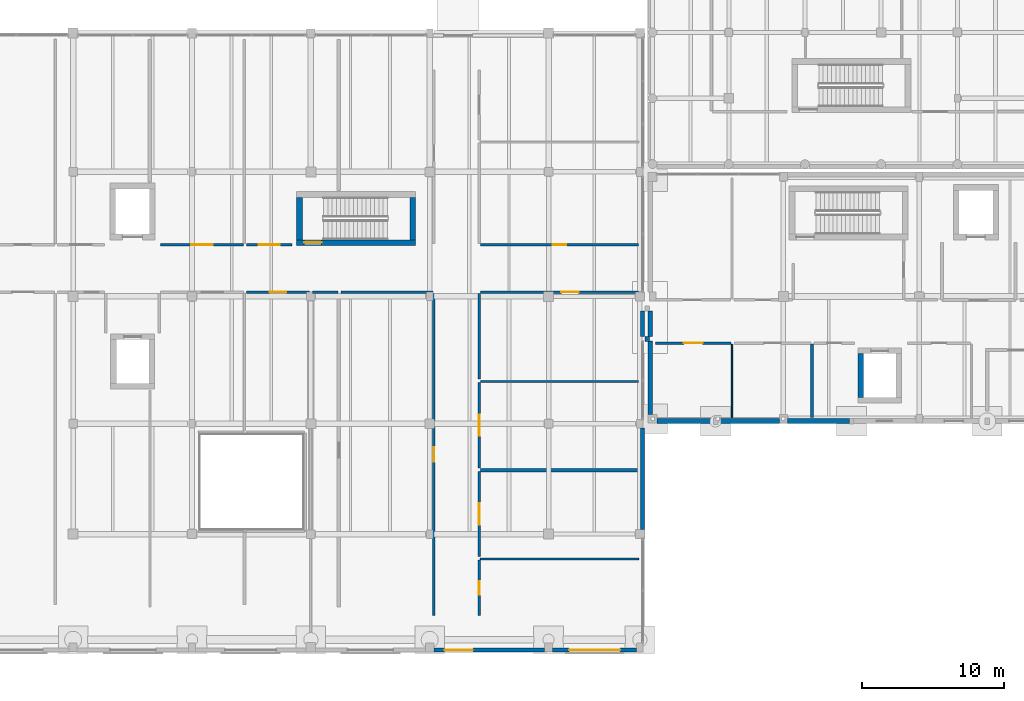
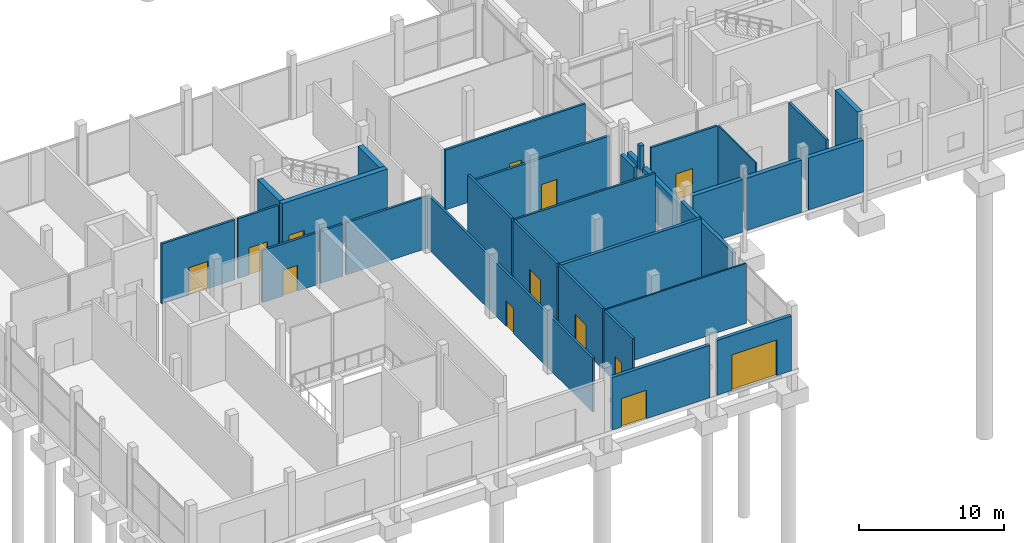
# One storey, part 57 of 88: 32 walls, 13 doors, 13 openings.
"""IFC4 building model written with IfcOpenShell, lengths in metres."""

import ifcopenshell
import ifcopenshell.guid

model = None  # the IFC model being written
_history = None  # IfcOwnerHistory: only IFC2X3 demands one
_inside = {}  # id of a spatial element -> (the spatial element, [elements in it])
_under = {}  # id of a project, library or spatial element -> (it, [spatial elements below it])
_declared = {}  # id of a project -> (the project, [libraries it declares])
_typed = {}  # id of a type object -> (the type object, [elements of that type])
_made_of = {}  # id of a material, layer set ... -> (it, [elements and type objects made of it])


def new_model(schema):
    """Start an empty IFC model of exactly this schema.

    Asked for "IFC4X3", IfcOpenShell would pick the latest addendum, in which some entities
    have other attributes; the version numbers below select the first issue.
    IFC2X3 requires an IfcOwnerHistory on every rooted entity: one is made here for all.
    """
    global model, _history
    if schema == "IFC4X3":
        model = ifcopenshell.file(schema_version=(4, 3, 0, 0))
    else:
        model = ifcopenshell.file(schema=schema)
    _inside.clear()
    _under.clear()
    _declared.clear()
    _typed.clear()
    _made_of.clear()
    _history = None
    if model.schema == "IFC2X3":
        org = make("IfcOrganization", Name="unknown")
        user = make(
            "IfcPersonAndOrganization",
            ThePerson=make("IfcPerson", FamilyName="unknown"),
            TheOrganization=org,
        )
        app = make(
            "IfcApplication",
            ApplicationDeveloper=org,
            Version="unknown",
            ApplicationFullName="unknown",
            ApplicationIdentifier="unknown",
        )
        _history = make(
            "IfcOwnerHistory",
            OwningUser=user,
            OwningApplication=app,
            ChangeAction="ADDED",
            CreationDate=0,
        )
    return model


def make(cls, **values):
    """One entity of the class cls with the attributes given. An attribute that is None is left unset."""
    return model.create_entity(
        cls, **{name: value for name, value in values.items() if value is not None}
    )


def rooted(cls, **values):
    """An entity with a GlobalId (a new one), such as an element, a storey or a relation."""
    return make(cls, GlobalId=ifcopenshell.guid.new(), OwnerHistory=_history, **values)


def si_unit(unit_type, name, prefix=None):
    """IfcSIUnit, for example si_unit("LENGTHUNIT", "METRE", prefix="MILLI")."""
    return make("IfcSIUnit", UnitType=unit_type, Prefix=prefix, Name=name)


def assignment(units):
    """IfcUnitAssignment: the units of a project."""
    return None if units is None else make("IfcUnitAssignment", Units=units)


def point(xyz):
    """IfcCartesianPoint."""
    return None if xyz is None else make("IfcCartesianPoint", Coordinates=xyz)


def direction(xyz):
    """IfcDirection."""
    return None if xyz is None else make("IfcDirection", DirectionRatios=xyz)


def frame(location, z_axis=None, x_axis=None):
    """IfcAxis2Placement3D, a coordinate frame: its origin and axes. An axis left out is left unset."""
    return make(
        "IfcAxis2Placement3D",
        Location=point(location),
        Axis=direction(z_axis),
        RefDirection=direction(x_axis),
    )


def frame_2d(location, x_axis=None):
    """IfcAxis2Placement2D, a coordinate frame in the plane: its origin and x axis."""
    return make(
        "IfcAxis2Placement2D", Location=point(location), RefDirection=direction(x_axis)
    )


def origin():
    """The frame at (0, 0, 0) with its axes left unset."""
    return frame((0.0, 0.0, 0.0))


def place(relative_to, where):
    """IfcLocalPlacement: puts the frame where relative to a parent placement (None: the world)."""
    return make(
        "IfcLocalPlacement", PlacementRelTo=relative_to, RelativePlacement=where
    )


def context(
    kind, dimensions, precision=None, world=None, true_north=None, identifier=None
):
    """IfcGeometricRepresentationContext, for example the 3D "Model" context."""
    return make(
        "IfcGeometricRepresentationContext",
        ContextIdentifier=identifier,
        ContextType=kind,
        CoordinateSpaceDimension=dimensions,
        Precision=precision,
        WorldCoordinateSystem=world,
        TrueNorth=true_north,
    )


def subcontext(parent, identifier, kind, view, scale=None):
    """IfcGeometricRepresentationSubContext, for example "Body" below "Model"."""
    return make(
        "IfcGeometricRepresentationSubContext",
        ContextIdentifier=identifier,
        ContextType=kind,
        ParentContext=parent,
        TargetScale=scale,
        TargetView=view,
    )


def project(units=None, contexts=None):
    """IfcProject with its units and contexts."""
    return rooted(
        "IfcProject",
        Name="project",
        RepresentationContexts=contexts,
        UnitsInContext=assignment(units),
    )


def spatial(cls, under=None, at=None, **own):
    """A site, building, storey or space (cls), placed at a placement, below another one or the project."""
    s = rooted(cls, ObjectPlacement=at, **own)
    if under is not None:
        _under.setdefault(under.id(), (under, []))[1].append(s)
    return s


def profile(cls, at=None, kind="AREA", **sizes):
    """A parametric profile (cls). Its sizes go by their IFC names, for example OverallWidth=200.0."""
    return make(cls, ProfileType=kind, Position=at, **sizes)


def rectangle(**sizes):
    """IfcRectangleProfileDef."""
    return profile("IfcRectangleProfileDef", **sizes)


def extrude(swept, where, along, depth):
    """IfcExtrudedAreaSolid: the profile swept, set in the frame where, extruded along a direction by depth."""
    return make(
        "IfcExtrudedAreaSolid",
        SweptArea=swept,
        Position=where,
        ExtrudedDirection=direction(along),
        Depth=depth,
    )


def shape(context_of_items, identifier, shape_type, items):
    """IfcShapeRepresentation: the items that make up one representation, for example the "Body"."""
    return make(
        "IfcShapeRepresentation",
        ContextOfItems=context_of_items,
        RepresentationIdentifier=identifier,
        RepresentationType=shape_type,
        Items=items,
    )


def material(Name=None, Category=None):
    """IfcMaterial."""
    return make("IfcMaterial", Name=Name, Category=Category)


def layer(
    of_material, thickness, ventilated=None, Name=None, Category=None, Priority=None
):
    """IfcMaterialLayer: one layer of a wall or slab, of a material (None: an air gap)."""
    return make(
        "IfcMaterialLayer",
        Material=of_material,
        LayerThickness=thickness,
        IsVentilated=ventilated,
        Name=Name,
        Category=Category,
        Priority=Priority,
    )


def layer_set(layers, Name=None):
    """IfcMaterialLayerSet."""
    return make("IfcMaterialLayerSet", MaterialLayers=layers, LayerSetName=Name)


def made_of(thing, what):
    """Note that an element or type object is made of a material, layer set ...; save() writes the relation."""
    if what is not None:
        _made_of.setdefault(what.id(), (what, []))[1].append(thing)
    return thing


def type_object(cls, material=None, **own):
    """A type object (cls), such as IfcWallType, which elements share."""
    return made_of(rooted(cls, **own), material)


def element(
    cls,
    number,
    at=None,
    inside=None,
    cuts=None,
    type_object=None,
    material=None,
    context=None,
    identifier="Body",
    shape_type=None,
    held_by="IfcProductDefinitionShape",
    body=None,
    shapes=None,
    **own,
):
    """One element of the class cls, such as IfcWall. Its Tag is "e" and its number.

    at: its placement. inside: the storey or other place that contains it. cuts: it is an
    opening in that element (IfcRelVoidsElement). A single representation is given by context,
    identifier, shape_type and body (its items); several are given by shapes. held_by: the class
    of the entity that holds the representations. save() writes the other relations.
    """
    e = rooted(cls, Tag="e%d" % number, ObjectPlacement=at, **own)
    if body is not None:
        shapes = [shape(context, identifier, shape_type, body)]
    if shapes is not None:
        e.Representation = make(held_by, Representations=shapes)
    if inside is not None:
        _inside.setdefault(inside.id(), (inside, []))[1].append(e)
    if cuts is not None:
        rooted(
            "IfcRelVoidsElement", RelatingBuildingElement=cuts, RelatedOpeningElement=e
        )
    if type_object is not None:
        _typed.setdefault(type_object.id(), (type_object, []))[1].append(e)
    return made_of(e, material)


def fill(opening, filler):
    """IfcRelFillsElement: the door or window that sits in an opening."""
    return rooted(
        "IfcRelFillsElement",
        RelatingOpeningElement=opening,
        RelatedBuildingElement=filler,
    )


def aggregate(whole, parts):
    """IfcRelAggregates: a whole, such as a stair, and the parts it consists of."""
    return rooted("IfcRelAggregates", RelatingObject=whole, RelatedObjects=parts)


def save(model, path):
    """Write the relations noted so far, then the file.

    IfcRelAggregates (storeys below a building ...), IfcRelContainedInSpatialStructure (elements
    in a storey), IfcRelDefinesByType, IfcRelAssociatesMaterial and IfcRelDeclares: one each for
    every whole, place, type object, material and project.
    """
    for whole, parts in _under.values():
        aggregate(whole, parts)
    for where, things in _inside.values():
        rooted(
            "IfcRelContainedInSpatialStructure",
            RelatedElements=things,
            RelatingStructure=where,
        )
    for kind, things in _typed.values():
        rooted("IfcRelDefinesByType", RelatedObjects=things, RelatingType=kind)
    for what, things in _made_of.values():
        rooted("IfcRelAssociatesMaterial", RelatedObjects=things, RelatingMaterial=what)
    for by, libraries in _declared.values():
        rooted("IfcRelDeclares", RelatingContext=by, RelatedDefinitions=libraries)
    model.write(path)


model = new_model("IFC4")

# Units and contexts
model_context = context("Model", 3, precision=1e-05, world=origin(), true_north=direction((0.0, 1.0)))
body_context = subcontext(model_context, "Body", "Model", "MODEL_VIEW")
ifc_project = project(units=[si_unit("LENGTHUNIT", "METRE"), si_unit("AREAUNIT", "SQUARE_METRE"), si_unit("VOLUMEUNIT", "CUBIC_METRE"), si_unit("PLANEANGLEUNIT", "RADIAN"), si_unit("MASSUNIT", "GRAM", prefix="KILO")], contexts=[model_context])

# Site, building, storey
site_placement = place(None, origin())
site = spatial("IfcSite", under=ifc_project, at=site_placement, CompositionType="ELEMENT")
building_placement = place(site_placement, origin())
building = spatial("IfcBuilding", under=site, at=building_placement, Name="Birchvale Park Specialist Clinic", CompositionType="ELEMENT")
storey_placement = place(building_placement, origin())
storey = spatial("IfcBuildingStorey", under=building, at=storey_placement, Name="L00", CompositionType="ELEMENT", Elevation=0.0)

# Wall, opening, door
ifc_material_1 = material(Name="Concrete C40/50", Category="concrete")
ifc_layer_1 = layer(ifc_material_1, 0.39990234375)
ifc_layer_set_1 = layer_set([ifc_layer_1], Name="Concrete C40/50")
wall_type_1 = type_object("IfcWallType", Name="WL-CW-120", PredefinedType="SHEAR", material=ifc_layer_set_1)
wall_1_placement = place(storey_placement, frame((27.0, 29.60009765625, 0.0), z_axis=(0.0, 0.0, 1.0), x_axis=(1.0, 0.0, 0.0)))
wall_1 = element("IfcWall", 1, at=wall_1_placement, inside=storey, type_object=wall_type_1, Name="L00 stair ST2 EI 120 enclosure wall (south)", PredefinedType="SHEAR", context=body_context, shape_type="SweptSolid", body=[
    extrude(rectangle(XDim=8.39990234375, YDim=0.39990234375, at=frame_2d((4.199951171875, 0.0))), origin(), (0.0, 0.0, 1.0), 5.050048828125),
])
opening_1_placement = place(wall_1_placement, frame((0.52001953125, 0.0, 0.0)))
opening_1 = element("IfcOpeningElement", 2, at=opening_1_placement, cuts=wall_1, Name="Opening ID-FD60", PredefinedType="OPENING", context=body_context, shape_type="SweptSolid", body=[
    extrude(rectangle(XDim=1.25, YDim=2.199951171875, at=frame_2d((0.625, 1.10009765625))), frame((0.0, 0.2099609375, 0.0), z_axis=(0.0, -1.0, 0.0), x_axis=(1.0, 0.0, 0.0)), (0.0, 0.0, 1.0), 0.419921875),
])
ifc_material_2 = material(Name="Solid-core birch veneer and anodised aluminium", Category="aluminium")
door_type_1 = type_object("IfcDoorType", Name="DR-ID-FD60", OperationType="NOTDEFINED", PredefinedType="DOOR", material=ifc_material_2)
door_1_placement = place(opening_1_placement, origin())
door_1 = element("IfcDoor", 3, at=door_1_placement, inside=storey, type_object=door_type_1, Name="L00 stair ST2 fire door", OperationType="SINGLE_SWING_RIGHT", OverallHeight=2.199951171875, OverallWidth=1.25, PredefinedType="DOOR", context=body_context, shape_type="SweptSolid", body=[
    extrude(rectangle(XDim=1.25, YDim=2.199951171875, at=frame_2d((0.625, 1.10009765625))), frame((0.0, 0.02490234375, 0.0), z_axis=(0.0, -1.0, 0.0), x_axis=(1.0, 0.0, 0.0)), (0.0, 0.0, 1.0), 0.050048828125),
])
fill(opening_1, door_1)

# Walls
for number, where, z_axis, x_axis, name in (
    (4, (27.199951171875, 29.800048828125, 0.0), (0.0, 0.0, 1.0), (0.0, 1.0, 0.0), "L00 stair ST2 EI 120 enclosure wall (west)"),
    (5, (35.199951171875, 32.800048828125, 0.0), (0.0, 0.0, 1.0), (0.0, -1.0, 0.0), "L00 stair ST2 EI 120 enclosure wall (east)"),
):
    element("IfcWall", number, at=place(storey_placement, frame(where, z_axis=z_axis, x_axis=x_axis)), inside=storey, type_object=wall_type_1, Name=name, PredefinedType="SHEAR", context=body_context, shape_type="SweptSolid", body=[
        extrude(rectangle(XDim=3.0, YDim=0.39990234375, at=frame_2d((1.5, 0.0))), origin(), (0.0, 0.0, 1.0), 5.050048828125),
    ])
wall_2_placement = place(storey_placement, frame((66.85009765625, 18.64990234375, 0.0), z_axis=(0.0, 0.0, 1.0), x_axis=(0.0, 1.0, 0.0)))
element("IfcWall", 6, at=wall_2_placement, inside=storey, type_object=wall_type_1, Name="L00 lift LP1 shaft wall (west)", PredefinedType="SHEAR", context=body_context, shape_type="SweptSolid", body=[
    extrude(rectangle(XDim=3.10009765625, YDim=0.39990234375, at=frame_2d((1.550048828125, 0.0))), origin(), (0.0, 0.0, 1.0), 5.39990234375),
])
ifc_material_3 = material(Name="Lime-white mineral-rendered insulated masonry", Category="masonry")
ifc_layer_2 = layer(ifc_material_3, 0.340087890625)
ifc_layer_set_2 = layer_set([ifc_layer_2], Name="Lime-white mineral-rendered insulated masonry")
wall_type_2 = type_object("IfcWallType", Name="WL-EW-01", PredefinedType="STANDARD", material=ifc_layer_set_2)
wall_3_placement = place(storey_placement, frame((52.4599609375, 16.989990234375, 0.0), z_axis=(0.0, 0.0, 1.0), x_axis=(1.0, 0.0, 0.0)))
element("IfcWall", 7, at=wall_3_placement, inside=storey, type_object=wall_type_2, Name="V4 L00 exterior facade wall 63", PredefinedType="STANDARD", context=body_context, shape_type="SweptSolid", body=[
    extrude(rectangle(XDim=3.985107421875, YDim=0.340087890625, at=frame_2d((1.99267578125, 0.0))), origin(), (0.0, 0.0, 1.0), 4.4150390625),
])
wall_4_placement = place(storey_placement, frame((56.7548828125, 16.989990234375, 0.0), z_axis=(0.0, 0.0, 1.0), x_axis=(1.0, 0.0, 0.0)))
element("IfcWall", 8, at=wall_4_placement, inside=storey, type_object=wall_type_2, Name="V4 L00 exterior facade wall 64", PredefinedType="STANDARD", context=body_context, shape_type="SweptSolid", body=[
    extrude(rectangle(XDim=4.360107421875, YDim=0.340087890625, at=frame_2d((2.18017578125, 0.0))), origin(), (0.0, 0.0, 1.0), 4.4150390625),
])
wall_5_placement = place(storey_placement, frame((61.68505859375, 16.989990234375, 0.0), z_axis=(0.0, 0.0, 1.0), x_axis=(1.0, 0.0, 0.0)))
element("IfcWall", 9, at=wall_5_placement, inside=storey, type_object=wall_type_2, Name="V4 L00 exterior facade wall 65", PredefinedType="STANDARD", context=body_context, shape_type="SweptSolid", body=[
    extrude(rectangle(XDim=4.3798828125, YDim=0.340087890625, at=frame_2d((2.18994140625, 0.0))), origin(), (0.0, 0.0, 1.0), 4.385009765625),
])
wall_6_placement = place(storey_placement, frame((51.989990234375, 24.780029296875, 0.0), z_axis=(0.0, 0.0, 1.0), x_axis=(0.0, -1.0, 0.0)))
element("IfcWall", 10, at=wall_6_placement, inside=storey, type_object=wall_type_2, Name="V4 L00 exterior facade wall 87", PredefinedType="STANDARD", context=body_context, shape_type="SweptSolid", body=[
    extrude(rectangle(XDim=1.81005859375, YDim=0.340087890625, at=frame_2d((0.905029296875, 0.0))), origin(), (0.0, 0.0, 1.0), 3.508056640625),
])
wall_7_placement = place(storey_placement, frame((51.989990234375, 22.6298828125, 0.0), z_axis=(0.0, 0.0, 1.0), x_axis=(0.0, -1.0, 0.0)))
element("IfcWall", 11, at=wall_7_placement, inside=storey, type_object=wall_type_2, Name="V4 L00 exterior facade wall 88", PredefinedType="STANDARD", context=body_context, shape_type="SweptSolid", body=[
    extrude(rectangle(XDim=5.169921875, YDim=0.340087890625, at=frame_2d((2.5849609375, 0.0))), origin(), (0.0, 0.0, 1.0), 3.508056640625),
])

# Wall, opening, door
ifc_layer_3 = layer(ifc_material_3, 0.27001953125)
ifc_layer_set_3 = layer_set([ifc_layer_3], Name="Lime-white mineral-rendered insulated masonry")
wall_type_3 = type_object("IfcWallType", Name="WL-EW-04", PredefinedType="STANDARD", material=ifc_layer_set_3)
wall_8_placement = place(storey_placement, frame((36.7099609375, 0.804931640625, 0.0), z_axis=(0.0, 0.0, 1.0), x_axis=(1.0, 0.0, 0.0)))
wall_8 = element("IfcWall", 12, at=wall_8_placement, inside=storey, type_object=wall_type_3, Name="V2 L00 exterior facade wall 38", PredefinedType="STANDARD", context=body_context, shape_type="SweptSolid", body=[
    extrude(rectangle(XDim=7.804931640625, YDim=0.27001953125, at=frame_2d((3.90234375, 0.0))), origin(), (0.0, 0.0, 1.0), 4.419921875),
])
opening_2_placement = place(wall_8_placement, frame((0.7451171875, 0.0, 0.0)))
opening_2 = element("IfcOpeningElement", 13, at=opening_2_placement, cuts=wall_8, Name="Opening ED-02", PredefinedType="OPENING", context=body_context, shape_type="SweptSolid", body=[
    extrude(rectangle(XDim=2.0, YDim=2.39990234375, at=frame_2d((1.0, 1.199951171875))), frame((0.0, 0.14501953125, 0.0), z_axis=(0.0, -1.0, 0.0), x_axis=(1.0, 0.0, 0.0)), (0.0, 0.0, 1.0), 0.2900390625),
])
ifc_material_4 = material(Name="Powder-coated aluminium and laminated safety glass", Category="aluminium")
door_type_2 = type_object("IfcDoorType", Name="DR-ED-02", OperationType="DOUBLE_DOOR_SINGLE_SWING", PredefinedType="DOOR", material=ifc_material_4)
door_2_placement = place(opening_2_placement, frame((2.0, 0.0, 0.0), z_axis=(0.0, 0.0, 1.0), x_axis=(-1.0, 0.0, 0.0)))
door_2 = element("IfcDoor", 14, at=door_2_placement, inside=storey, type_object=door_type_2, Name="L00 V2 final exit double door 9", OperationType="DOUBLE_DOOR_SINGLE_SWING", OverallHeight=2.39990234375, OverallWidth=2.0, PredefinedType="DOOR", context=body_context, shape_type="SweptSolid", body=[
    extrude(rectangle(XDim=2.0, YDim=2.39990234375, at=frame_2d((1.0, 1.199951171875))), frame((0.0, 0.02490234375, 0.0), z_axis=(0.0, -1.0, 0.0), x_axis=(1.0, 0.0, 0.0)), (0.0, 0.0, 1.0), 0.050048828125),
])
fill(opening_2, door_2)

wall_9_placement = place(storey_placement, frame((45.0849609375, 0.804931640625, 0.0), z_axis=(0.0, 0.0, 1.0), x_axis=(1.0, 0.0, 0.0)))
wall_9 = element("IfcWall", 15, at=wall_9_placement, inside=storey, type_object=wall_type_3, Name="V2 L00 exterior facade wall 39", PredefinedType="STANDARD", context=body_context, shape_type="SweptSolid", body=[
    extrude(rectangle(XDim=5.93505859375, YDim=0.27001953125, at=frame_2d((2.967529296875, 0.0))), origin(), (0.0, 0.0, 1.0), 4.6201171875),
])
opening_3_placement = place(wall_9_placement, frame((1.16748046875, 0.0, 0.0)))
opening_3 = element("IfcOpeningElement", 16, at=opening_3_placement, cuts=wall_9, Name="Opening SG-01", PredefinedType="OPENING", context=body_context, shape_type="SweptSolid", body=[
    extrude(rectangle(XDim=3.60009765625, YDim=3.0, at=frame_2d((1.800048828125, 1.5))), frame((0.0, 0.14501953125, 0.0), z_axis=(0.0, -1.0, 0.0), x_axis=(1.0, 0.0, 0.0)), (0.0, 0.0, 1.0), 0.2900390625),
])
door_type_3 = type_object("IfcDoorType", Name="DR-SG-01", OperationType="DOUBLE_DOOR_SINGLE_SWING", PredefinedType="GATE", material=ifc_material_4)
door_3_placement = place(opening_3_placement, frame((3.60009765625, 0.0, 0.0), z_axis=(0.0, 0.0, 1.0), x_axis=(-1.0, 0.0, 0.0)))
door_3 = element("IfcDoor", 17, at=door_3_placement, inside=storey, type_object=door_type_3, Name="V2 L00 ambulance & sterile service gate 5", OperationType="DOUBLE_DOOR_SINGLE_SWING", OverallHeight=3.0, OverallWidth=3.60009765625, PredefinedType="GATE", context=body_context, shape_type="SweptSolid", body=[
    extrude(rectangle(XDim=3.60009765625, YDim=3.0, at=frame_2d((1.800048828125, 1.5))), frame((0.0, 0.02490234375, 0.0), z_axis=(0.0, -1.0, 0.0), x_axis=(1.0, 0.0, 0.0)), (0.0, 0.0, 1.0), 0.050048828125),
])
fill(opening_3, door_3)

# Walls
wall_10_placement = place(storey_placement, frame((51.445068359375, 9.31005859375, 0.0), z_axis=(0.0, 0.0, 1.0), x_axis=(0.0, 1.0, 0.0)))
element("IfcWall", 18, at=wall_10_placement, inside=storey, type_object=wall_type_3, Name="V2 L00 exterior facade wall 40", PredefinedType="STANDARD", context=body_context, shape_type="SweptSolid", body=[
    extrude(rectangle(XDim=7.179931640625, YDim=0.27001953125, at=frame_2d((3.58984375, 0.0))), origin(), (0.0, 0.0, 1.0), 4.570068359375),
])
wall_11_placement = place(storey_placement, frame((51.445068359375, 22.969970703125, 0.0), z_axis=(0.0, 0.0, 1.0), x_axis=(0.0, 1.0, 0.0)))
element("IfcWall", 19, at=wall_11_placement, inside=storey, type_object=wall_type_3, Name="V2 L00 exterior facade wall 41", PredefinedType="STANDARD", context=body_context, shape_type="SweptSolid", body=[
    extrude(rectangle(XDim=1.81005859375, YDim=0.27001953125, at=frame_2d((0.905029296875, 0.0))), origin(), (0.0, 0.0, 1.0), 3.508056640625),
])
ifc_material_5 = material(Name="Acoustic gypsum board on metal framing")
ifc_layer_4 = layer(ifc_material_5, 0.1650390625)
ifc_layer_set_4 = layer_set([ifc_layer_4], Name="Acoustic gypsum board on metal framing")
wall_type_4 = type_object("IfcWallType", Name="WL-IW-01", PredefinedType="PARTITIONING", material=ifc_layer_set_4)
wall_12_placement = place(storey_placement, frame((39.97998046875, 19.78759765625, 0.0), z_axis=(0.0, 0.0, 1.0), x_axis=(1.0, 0.0, 0.0)))
element("IfcWall", 20, at=wall_12_placement, inside=storey, type_object=wall_type_4, Name="V2 L00 clinical partition 102", PredefinedType="PARTITIONING", context=body_context, shape_type="SweptSolid", body=[
    extrude(rectangle(XDim=11.179931640625, YDim=0.1650390625, at=frame_2d((5.58984375, 0.0))), origin(), (0.0, 0.0, 1.0), 5.050048828125),
])
ifc_layer_5 = layer(ifc_material_5, 0.125)
ifc_layer_set_5 = layer_set([ifc_layer_5], Name="Acoustic gypsum board on metal framing")
wall_type_5 = type_object("IfcWallType", Name="WL-IW-04", PredefinedType="PARTITIONING", material=ifc_layer_set_5)
wall_13_placement = place(storey_placement, frame((39.97998046875, 7.242431640625, 0.0), z_axis=(0.0, 0.0, 1.0), x_axis=(1.0, 0.0, 0.0)))
element("IfcWall", 21, at=wall_13_placement, inside=storey, type_object=wall_type_5, Name="V2 L00 clinical partition 97", PredefinedType="PARTITIONING", context=body_context, shape_type="SweptSolid", body=[
    extrude(rectangle(XDim=11.179931640625, YDim=0.125, at=frame_2d((5.58984375, 0.0))), origin(), (0.0, 0.0, 1.0), 5.050048828125),
])
ifc_layer_6 = layer(ifc_material_5, 0.10009765625)
ifc_layer_set_6 = layer_set([ifc_layer_6], Name="Acoustic gypsum board on metal framing")
wall_type_6 = type_object("IfcWallType", Name="WL-IW-06", PredefinedType="PARTITIONING", material=ifc_layer_set_6)
wall_14_placement = place(storey_placement, frame((57.763916015625, 22.419921875, 0.0), z_axis=(0.0, 0.0, 1.0), x_axis=(0.0, -1.0, 0.0)))
element("IfcWall", 22, at=wall_14_placement, inside=storey, type_object=wall_type_6, Name="V4 L00 clinical partition 175", PredefinedType="PARTITIONING", context=body_context, shape_type="SweptSolid", body=[
    extrude(rectangle(XDim=5.179931640625, YDim=0.10009765625, at=frame_2d((2.58984375, 0.0))), origin(), (0.0, 0.0, 1.0), 5.1201171875),
])
ifc_layer_7 = layer(ifc_material_5, 0.195068359375)
ifc_layer_set_7 = layer_set([ifc_layer_7], Name="Acoustic gypsum board on metal framing")
wall_type_7 = type_object("IfcWallType", Name="WL-IW-07", PredefinedType="PARTITIONING", material=ifc_layer_set_7)
wall_15_placement = place(storey_placement, frame((63.407958984375, 22.419921875, 0.0), z_axis=(0.0, 0.0, 1.0), x_axis=(0.0, -1.0, 0.0)))
element("IfcWall", 23, at=wall_15_placement, inside=storey, type_object=wall_type_7, Name="V4 L00 clinical partition 177", PredefinedType="PARTITIONING", context=body_context, shape_type="SweptSolid", body=[
    extrude(rectangle(XDim=5.179931640625, YDim=0.195068359375, at=frame_2d((2.58984375, 0.0))), origin(), (0.0, 0.0, 1.0), 5.1201171875),
])
ifc_layer_8 = layer(ifc_material_5, 0.239990234375)
ifc_layer_set_8 = layer_set([ifc_layer_8], Name="Acoustic gypsum board on metal framing")
wall_type_8 = type_object("IfcWallType", Name="WL-IW-08", PredefinedType="PARTITIONING", material=ifc_layer_set_8)
wall_16_placement = place(storey_placement, frame((39.97998046875, 13.514892578125, 0.0), z_axis=(0.0, 0.0, 1.0), x_axis=(1.0, 0.0, 0.0)))
element("IfcWall", 24, at=wall_16_placement, inside=storey, type_object=wall_type_8, Name="V2 L00 clinical partition 100", PredefinedType="PARTITIONING", context=body_context, shape_type="SweptSolid", body=[
    extrude(rectangle(XDim=11.179931640625, YDim=0.239990234375, at=frame_2d((5.58984375, 0.0))), origin(), (0.0, 0.0, 1.0), 5.050048828125),
])

# Wall, opening, door
ifc_layer_9 = layer(ifc_material_5, 0.179931640625)
ifc_layer_set_9 = layer_set([ifc_layer_9], Name="Acoustic gypsum board on metal framing")
wall_type_9 = type_object("IfcWallType", Name="WL-IW-60", PredefinedType="PARTITIONING", material=ifc_layer_set_9)
wall_17_placement = place(storey_placement, frame((23.464111328125, 26.10009765625, 0.0), z_axis=(0.0, 0.0, 1.0), x_axis=(1.0, 0.0, 0.0)))
wall_17 = element("IfcWall", 25, at=wall_17_placement, inside=storey, type_object=wall_type_9, Name="V2 L00 clinical partition 91", PredefinedType="PARTITIONING", context=body_context, shape_type="SweptSolid", body=[
    extrude(rectangle(XDim=4.435791015625, YDim=0.179931640625, at=frame_2d((2.2177734375, 0.0))), origin(), (0.0, 0.0, 1.0), 4.385009765625),
])
opening_4_placement = place(wall_17_placement, frame((1.6279296875, 0.0, 0.0)))
opening_4 = element("IfcOpeningElement", 26, at=opening_4_placement, cuts=wall_17, Name="Opening ID-ST60", PredefinedType="OPENING", context=body_context, shape_type="SweptSolid", body=[
    extrude(rectangle(XDim=1.179931640625, YDim=2.179931640625, at=frame_2d((0.58984375, 1.08984375))), frame((0.0, 0.10009765625, 0.0), z_axis=(0.0, -1.0, 0.0), x_axis=(1.0, 0.0, 0.0)), (0.0, 0.0, 1.0), 0.199951171875),
])
door_type_4 = type_object("IfcDoorType", Name="DR-ID-ST60", OperationType="NOTDEFINED", PredefinedType="DOOR", material=ifc_material_2)
door_4_placement = place(opening_4_placement, origin())
door_4 = element("IfcDoor", 27, at=door_4_placement, inside=storey, type_object=door_type_4, Name="L00 Ultrasound Diagnostic Suite door", OperationType="SINGLE_SWING_LEFT", OverallHeight=2.179931640625, OverallWidth=1.179931640625, PredefinedType="DOOR", context=body_context, shape_type="SweptSolid", body=[
    extrude(rectangle(XDim=1.179931640625, YDim=2.179931640625, at=frame_2d((0.58984375, 1.08984375))), frame((0.0, 0.02490234375, 0.0), z_axis=(0.0, -1.0, 0.0), x_axis=(1.0, 0.0, 0.0)), (0.0, 0.0, 1.0), 0.050048828125),
])
fill(opening_4, door_4)

# Walls
wall_18_placement = place(storey_placement, frame((28.10009765625, 26.10009765625, 0.0), z_axis=(0.0, 0.0, 1.0), x_axis=(1.0, 0.0, 0.0)))
element("IfcWall", 28, at=wall_18_placement, inside=storey, type_object=wall_type_9, Name="V2 L00 clinical partition 93", PredefinedType="PARTITIONING", context=body_context, shape_type="SweptSolid", body=[
    extrude(rectangle(XDim=1.802001953125, YDim=0.179931640625, at=frame_2d((0.90087890625, 0.0))), origin(), (0.0, 0.0, 1.0), 4.385009765625),
])
wall_19_placement = place(storey_placement, frame((30.14208984375, 26.10009765625, 0.0), z_axis=(0.0, 0.0, 1.0), x_axis=(1.0, 0.0, 0.0)))
element("IfcWall", 29, at=wall_19_placement, inside=storey, type_object=wall_type_9, Name="V2 L00 clinical partition 95", PredefinedType="PARTITIONING", context=body_context, shape_type="SweptSolid", body=[
    extrude(rectangle(XDim=6.47802734375, YDim=0.179931640625, at=frame_2d((3.239013671875, 0.0))), origin(), (0.0, 0.0, 1.0), 4.385009765625),
])

# Wall, opening, door
wall_20_placement = place(storey_placement, frame((36.699951171875, 26.02001953125, 0.0), z_axis=(0.0, 0.0, 1.0), x_axis=(0.0, -1.0, 0.0)))
wall_20 = element("IfcWall", 30, at=wall_20_placement, inside=storey, type_object=wall_type_9, Name="V2 L00 clinical partition 96", PredefinedType="PARTITIONING", context=body_context, shape_type="SweptSolid", body=[
    extrude(rectangle(XDim=22.784912109375, YDim=0.179931640625, at=frame_2d((11.392578125, 0.0))), origin(), (0.0, 0.0, 1.0), 4.534912109375),
])
opening_5_placement = place(wall_20_placement, frame((10.87255859375, 0.0, 0.0)))
opening_5 = element("IfcOpeningElement", 31, at=opening_5_placement, cuts=wall_20, Name="Opening ID-02", PredefinedType="OPENING", context=body_context, shape_type="SweptSolid", body=[
    extrude(rectangle(XDim=1.0400390625, YDim=2.14990234375, at=frame_2d((0.52001953125, 1.074951171875))), frame((0.0, 0.10009765625, 0.0), z_axis=(0.0, -1.0, 0.0), x_axis=(1.0, 0.0, 0.0)), (0.0, 0.0, 1.0), 0.199951171875),
])
door_type_5 = type_object("IfcDoorType", Name="DR-ID-02", OperationType="NOTDEFINED", PredefinedType="DOOR", material=ifc_material_2)
door_5_placement = place(opening_5_placement, origin())
door_5 = element("IfcDoor", 32, at=door_5_placement, inside=storey, type_object=door_type_5, Name="L00 Mammography Screening Clinic door", OperationType="SINGLE_SWING_LEFT", OverallHeight=2.14990234375, OverallWidth=1.0400390625, PredefinedType="DOOR", context=body_context, shape_type="SweptSolid", body=[
    extrude(rectangle(XDim=1.0400390625, YDim=2.14990234375, at=frame_2d((0.52001953125, 1.074951171875))), frame((0.0, 0.02490234375, 0.0), z_axis=(0.0, -1.0, 0.0), x_axis=(1.0, 0.0, 0.0)), (0.0, 0.0, 1.0), 0.050048828125),
])
fill(opening_5, door_5)

wall_21_placement = place(storey_placement, frame((39.89990234375, 3.235107421875, 0.0), z_axis=(0.0, 0.0, 1.0), x_axis=(0.0, 1.0, 0.0)))
wall_21 = element("IfcWall", 33, at=wall_21_placement, inside=storey, type_object=wall_type_9, Name="V2 L00 clinical partition 98", PredefinedType="PARTITIONING", context=body_context, shape_type="SweptSolid", body=[
    extrude(rectangle(XDim=3.927490234375, YDim=0.179931640625, at=frame_2d((1.9638671875, 0.0))), origin(), (0.0, 0.0, 1.0), 5.050048828125),
])
opening_6_placement = place(wall_21_placement, frame((1.483642578125, 0.0, 0.0)))
opening_6 = element("IfcOpeningElement", 34, at=opening_6_placement, cuts=wall_21, Name="Opening ID-04", PredefinedType="OPENING", context=body_context, shape_type="SweptSolid", body=[
    extrude(rectangle(XDim=0.9599609375, YDim=2.10009765625, at=frame_2d((0.47998046875, 1.050048828125))), frame((0.0, 0.10009765625, 0.0), z_axis=(0.0, -1.0, 0.0), x_axis=(1.0, 0.0, 0.0)), (0.0, 0.0, 1.0), 0.199951171875),
])
door_type_6 = type_object("IfcDoorType", Name="DR-ID-04", OperationType="NOTDEFINED", PredefinedType="DOOR", material=ifc_material_2)
door_6_placement = place(opening_6_placement, origin())
door_6 = element("IfcDoor", 35, at=door_6_placement, inside=storey, type_object=door_type_6, Name="L00 Outpatient Waiting Lounge door", OperationType="SINGLE_SWING_RIGHT", OverallHeight=2.10009765625, OverallWidth=0.9599609375, PredefinedType="DOOR", context=body_context, shape_type="SweptSolid", body=[
    extrude(rectangle(XDim=0.9599609375, YDim=2.10009765625, at=frame_2d((0.47998046875, 1.050048828125))), frame((0.0, 0.02490234375, 0.0), z_axis=(0.0, -1.0, 0.0), x_axis=(1.0, 0.0, 0.0)), (0.0, 0.0, 1.0), 0.050048828125),
])
fill(opening_6, door_6)

wall_22_placement = place(storey_placement, frame((39.89990234375, 7.402587890625, 0.0), z_axis=(0.0, 0.0, 1.0), x_axis=(0.0, 1.0, 0.0)))
wall_22 = element("IfcWall", 36, at=wall_22_placement, inside=storey, type_object=wall_type_9, Name="V2 L00 clinical partition 99", PredefinedType="PARTITIONING", context=body_context, shape_type="SweptSolid", body=[
    extrude(rectangle(XDim=6.032470703125, YDim=0.179931640625, at=frame_2d((3.01611328125, 0.0))), origin(), (0.0, 0.0, 1.0), 5.050048828125),
])
opening_7_placement = place(wall_22_placement, frame((2.266357421875, 0.0, 0.0)))
opening_7 = element("IfcOpeningElement", 37, at=opening_7_placement, cuts=wall_22, Name="Opening ID-07", PredefinedType="OPENING", context=body_context, shape_type="SweptSolid", body=[
    extrude(rectangle(XDim=1.5, YDim=2.300048828125, at=frame_2d((0.75, 1.14990234375))), frame((0.0, 0.10009765625, 0.0), z_axis=(0.0, -1.0, 0.0), x_axis=(1.0, 0.0, 0.0)), (0.0, 0.0, 1.0), 0.199951171875),
])
door_type_7 = type_object("IfcDoorType", Name="DR-ID-07", OperationType="DOUBLE_DOOR_SINGLE_SWING", PredefinedType="DOOR", material=ifc_material_2)
door_7_placement = place(opening_7_placement, origin())
door_7 = element("IfcDoor", 38, at=door_7_placement, inside=storey, type_object=door_type_7, Name="L00 MRI Imaging Suite door", OperationType="DOUBLE_DOOR_SINGLE_SWING", OverallHeight=2.300048828125, OverallWidth=1.5, PredefinedType="DOOR", context=body_context, shape_type="SweptSolid", body=[
    extrude(rectangle(XDim=1.5, YDim=2.300048828125, at=frame_2d((0.75, 1.14990234375))), frame((0.0, 0.02490234375, 0.0), z_axis=(0.0, -1.0, 0.0), x_axis=(1.0, 0.0, 0.0)), (0.0, 0.0, 1.0), 0.050048828125),
])
fill(opening_7, door_7)

wall_23_placement = place(storey_placement, frame((39.89990234375, 13.675048828125, 0.0), z_axis=(0.0, 0.0, 1.0), x_axis=(0.0, 1.0, 0.0)))
wall_23 = element("IfcWall", 39, at=wall_23_placement, inside=storey, type_object=wall_type_9, Name="V2 L00 clinical partition 101", PredefinedType="PARTITIONING", context=body_context, shape_type="SweptSolid", body=[
    extrude(rectangle(XDim=6.032470703125, YDim=0.179931640625, at=frame_2d((3.01611328125, 0.0))), origin(), (0.0, 0.0, 1.0), 5.050048828125),
])
opening_8_placement = place(wall_23_placement, frame((2.26611328125, 0.0, 0.0)))
opening_8 = element("IfcOpeningElement", 40, at=opening_8_placement, cuts=wall_23, Name="Opening ID-07", PredefinedType="OPENING", context=body_context, shape_type="SweptSolid", body=[
    extrude(rectangle(XDim=1.5, YDim=2.300048828125, at=frame_2d((0.75, 1.14990234375))), frame((0.0, 0.10009765625, 0.0), z_axis=(0.0, -1.0, 0.0), x_axis=(1.0, 0.0, 0.0)), (0.0, 0.0, 1.0), 0.199951171875),
])
door_8_placement = place(opening_8_placement, origin())
door_8 = element("IfcDoor", 41, at=door_8_placement, inside=storey, type_object=door_type_7, Name="L00 MRI Imaging Suite door", OperationType="DOUBLE_DOOR_SINGLE_SWING", OverallHeight=2.300048828125, OverallWidth=1.5, PredefinedType="DOOR", context=body_context, shape_type="SweptSolid", body=[
    extrude(rectangle(XDim=1.5, YDim=2.300048828125, at=frame_2d((0.75, 1.14990234375))), frame((0.0, 0.02490234375, 0.0), z_axis=(0.0, -1.0, 0.0), x_axis=(1.0, 0.0, 0.0)), (0.0, 0.0, 1.0), 0.050048828125),
])
fill(opening_8, door_8)

# Wall
wall_24_placement = place(storey_placement, frame((39.89990234375, 19.947509765625, 0.0), z_axis=(0.0, 0.0, 1.0), x_axis=(0.0, 1.0, 0.0)))
element("IfcWall", 42, at=wall_24_placement, inside=storey, type_object=wall_type_9, Name="V2 L00 clinical partition 103", PredefinedType="PARTITIONING", context=body_context, shape_type="SweptSolid", body=[
    extrude(rectangle(XDim=6.072509765625, YDim=0.179931640625, at=frame_2d((3.0361328125, 0.0))), origin(), (0.0, 0.0, 1.0), 5.050048828125),
])

# Wall, opening, door
wall_25_placement = place(storey_placement, frame((39.97998046875, 26.10009765625, 0.0), z_axis=(0.0, 0.0, 1.0), x_axis=(1.0, 0.0, 0.0)))
wall_25 = element("IfcWall", 43, at=wall_25_placement, inside=storey, type_object=wall_type_9, Name="V2 L00 clinical partition 104", PredefinedType="PARTITIONING", context=body_context, shape_type="SweptSolid", body=[
    extrude(rectangle(XDim=11.179931640625, YDim=0.179931640625, at=frame_2d((5.58984375, 0.0))), origin(), (0.0, 0.0, 1.0), 4.385009765625),
])
opening_9_placement = place(wall_25_placement, frame((5.72998046875, 0.0, 0.0)))
opening_9 = element("IfcOpeningElement", 44, at=opening_9_placement, cuts=wall_25, Name="Opening ID-10", PredefinedType="OPENING", context=body_context, shape_type="SweptSolid", body=[
    extrude(rectangle(XDim=1.219970703125, YDim=2.179931640625, at=frame_2d((0.60986328125, 1.08984375))), frame((0.0, 0.10009765625, 0.0), z_axis=(0.0, -1.0, 0.0), x_axis=(1.0, 0.0, 0.0)), (0.0, 0.0, 1.0), 0.199951171875),
])
door_type_8 = type_object("IfcDoorType", Name="DR-ID-10", OperationType="NOTDEFINED", PredefinedType="DOOR", material=ifc_material_2)
door_9_placement = place(opening_9_placement, origin())
door_9 = element("IfcDoor", 45, at=door_9_placement, inside=storey, type_object=door_type_8, Name="L00 Outpatient Phlebotomy Clinic door", OperationType="SINGLE_SWING_LEFT", OverallHeight=2.179931640625, OverallWidth=1.219970703125, PredefinedType="DOOR", context=body_context, shape_type="SweptSolid", body=[
    extrude(rectangle(XDim=1.219970703125, YDim=2.179931640625, at=frame_2d((0.60986328125, 1.08984375))), frame((0.0, 0.02490234375, 0.0), z_axis=(0.0, -1.0, 0.0), x_axis=(1.0, 0.0, 0.0)), (0.0, 0.0, 1.0), 0.050048828125),
])
fill(opening_9, door_9)

wall_26_placement = place(storey_placement, frame((23.22412109375, 29.449951171875, 0.0), z_axis=(0.0, 0.0, 1.0), x_axis=(-1.0, 0.0, 0.0)))
wall_26 = element("IfcWall", 46, at=wall_26_placement, inside=storey, type_object=wall_type_9, Name="V2 L00 clinical partition 109", PredefinedType="PARTITIONING", context=body_context, shape_type="SweptSolid", body=[
    extrude(rectangle(XDim=5.84423828125, YDim=0.179931640625, at=frame_2d((2.922119140625, 0.0))), origin(), (0.0, 0.0, 1.0), 5.050048828125),
])
opening_10_placement = place(wall_26_placement, frame((2.172119140625, 0.0, 0.0)))
opening_10 = element("IfcOpeningElement", 47, at=opening_10_placement, cuts=wall_26, Name="Opening ID-07", PredefinedType="OPENING", context=body_context, shape_type="SweptSolid", body=[
    extrude(rectangle(XDim=1.5, YDim=2.300048828125, at=frame_2d((0.75, 1.14990234375))), frame((0.0, 0.10009765625, 0.0), z_axis=(0.0, -1.0, 0.0), x_axis=(1.0, 0.0, 0.0)), (0.0, 0.0, 1.0), 0.199951171875),
])
door_10_placement = place(opening_10_placement, origin())
door_10 = element("IfcDoor", 48, at=door_10_placement, inside=storey, type_object=door_type_7, Name="L00 CT Scanner Suite door", OperationType="DOUBLE_DOOR_SINGLE_SWING", OverallHeight=2.300048828125, OverallWidth=1.5, PredefinedType="DOOR", context=body_context, shape_type="SweptSolid", body=[
    extrude(rectangle(XDim=1.5, YDim=2.300048828125, at=frame_2d((0.75, 1.14990234375))), frame((0.0, 0.02490234375, 0.0), z_axis=(0.0, -1.0, 0.0), x_axis=(1.0, 0.0, 0.0)), (0.0, 0.0, 1.0), 0.050048828125),
])
fill(opening_10, door_10)

wall_27_placement = place(storey_placement, frame((26.6650390625, 29.449951171875, 0.0), z_axis=(0.0, 0.0, 1.0), x_axis=(-1.0, 0.0, 0.0)))
wall_27 = element("IfcWall", 49, at=wall_27_placement, inside=storey, type_object=wall_type_9, Name="V2 L00 clinical partition 111", PredefinedType="PARTITIONING", context=body_context, shape_type="SweptSolid", body=[
    extrude(rectangle(XDim=3.200927734375, YDim=0.179931640625, at=frame_2d((1.6005859375, 0.0))), origin(), (0.0, 0.0, 1.0), 5.050048828125),
])
opening_11_placement = place(wall_27_placement, frame((0.8505859375, 0.0, 0.0)))
opening_11 = element("IfcOpeningElement", 50, at=opening_11_placement, cuts=wall_27, Name="Opening ID-07", PredefinedType="OPENING", context=body_context, shape_type="SweptSolid", body=[
    extrude(rectangle(XDim=1.5, YDim=2.300048828125, at=frame_2d((0.75, 1.14990234375))), frame((0.0, 0.10009765625, 0.0), z_axis=(0.0, -1.0, 0.0), x_axis=(1.0, 0.0, 0.0)), (0.0, 0.0, 1.0), 0.199951171875),
])
door_11_placement = place(opening_11_placement, origin())
door_11 = element("IfcDoor", 51, at=door_11_placement, inside=storey, type_object=door_type_7, Name="L00 Digital X-Ray Radiography Room door", OperationType="DOUBLE_DOOR_SINGLE_SWING", OverallHeight=2.300048828125, OverallWidth=1.5, PredefinedType="DOOR", context=body_context, shape_type="SweptSolid", body=[
    extrude(rectangle(XDim=1.5, YDim=2.300048828125, at=frame_2d((0.75, 1.14990234375))), frame((0.0, 0.02490234375, 0.0), z_axis=(0.0, -1.0, 0.0), x_axis=(1.0, 0.0, 0.0)), (0.0, 0.0, 1.0), 0.050048828125),
])
fill(opening_11, door_11)

wall_28_placement = place(storey_placement, frame((51.159912109375, 29.449951171875, 0.0), z_axis=(0.0, 0.0, 1.0), x_axis=(-1.0, 0.0, 0.0)))
wall_28 = element("IfcWall", 52, at=wall_28_placement, inside=storey, type_object=wall_type_9, Name="V2 L00 clinical partition 116", PredefinedType="PARTITIONING", context=body_context, shape_type="SweptSolid", body=[
    extrude(rectangle(XDim=11.179931640625, YDim=0.179931640625, at=frame_2d((5.58984375, 0.0))), origin(), (0.0, 0.0, 1.0), 5.050048828125),
])
opening_12_placement = place(wall_28_placement, frame((5.110107421875, 0.0, 0.0)))
opening_12 = element("IfcOpeningElement", 53, at=opening_12_placement, cuts=wall_28, Name="Opening ID-04", PredefinedType="OPENING", context=body_context, shape_type="SweptSolid", body=[
    extrude(rectangle(XDim=0.9599609375, YDim=2.10009765625, at=frame_2d((0.47998046875, 1.050048828125))), frame((0.0, 0.10009765625, 0.0), z_axis=(0.0, -1.0, 0.0), x_axis=(1.0, 0.0, 0.0)), (0.0, 0.0, 1.0), 0.199951171875),
])
door_12_placement = place(opening_12_placement, origin())
door_12 = element("IfcDoor", 54, at=door_12_placement, inside=storey, type_object=door_type_6, Name="L00 Mammography Screening Clinic door", OperationType="SINGLE_SWING_RIGHT", OverallHeight=2.10009765625, OverallWidth=0.9599609375, PredefinedType="DOOR", context=body_context, shape_type="SweptSolid", body=[
    extrude(rectangle(XDim=0.9599609375, YDim=2.10009765625, at=frame_2d((0.47998046875, 1.050048828125))), frame((0.0, 0.02490234375, 0.0), z_axis=(0.0, -1.0, 0.0), x_axis=(1.0, 0.0, 0.0)), (0.0, 0.0, 1.0), 0.050048828125),
])
fill(opening_12, door_12)

wall_29_placement = place(storey_placement, frame((52.364990234375, 22.5, 0.0), z_axis=(0.0, 0.0, 1.0), x_axis=(1.0, 0.0, 0.0)))
wall_29 = element("IfcWall", 55, at=wall_29_placement, inside=storey, type_object=wall_type_9, Name="V4 L00 clinical partition 174", PredefinedType="PARTITIONING", context=body_context, shape_type="SweptSolid", body=[
    extrude(rectangle(XDim=5.319091796875, YDim=0.179931640625, at=frame_2d((2.65966796875, 0.0))), origin(), (0.0, 0.0, 1.0), 5.1201171875),
])
opening_13_placement = place(wall_29_placement, frame((1.99951171875, 0.0, 0.0)))
opening_13 = element("IfcOpeningElement", 56, at=opening_13_placement, cuts=wall_29, Name="Opening ID-12", PredefinedType="OPENING", context=body_context, shape_type="SweptSolid", body=[
    extrude(rectangle(XDim=1.320068359375, YDim=2.219970703125, at=frame_2d((0.66015625, 1.10986328125))), frame((0.0, 0.10009765625, 0.0), z_axis=(0.0, -1.0, 0.0), x_axis=(1.0, 0.0, 0.0)), (0.0, 0.0, 1.0), 0.199951171875),
])
door_type_9 = type_object("IfcDoorType", Name="DR-ID-12", OperationType="NOTDEFINED", PredefinedType="DOOR", material=ifc_material_2)
door_13_placement = place(opening_13_placement, origin())
door_13 = element("IfcDoor", 57, at=door_13_placement, inside=storey, type_object=door_type_9, Name="L00 Patient Reception Concourse door", OperationType="SINGLE_SWING_RIGHT", OverallHeight=2.219970703125, OverallWidth=1.320068359375, PredefinedType="DOOR", context=body_context, shape_type="SweptSolid", body=[
    extrude(rectangle(XDim=1.320068359375, YDim=2.219970703125, at=frame_2d((0.66015625, 1.10986328125))), frame((0.0, 0.02490234375, 0.0), z_axis=(0.0, -1.0, 0.0), x_axis=(1.0, 0.0, 0.0)), (0.0, 0.0, 1.0), 0.050048828125),
])
fill(opening_13, door_13)

# Wall
ifc_layer_10 = layer(ifc_material_1, 0.35009765625)
ifc_layer_set_10 = layer_set([ifc_layer_10], Name="Concrete C40/50")
wall_type_10 = type_object("IfcWallType", Name="WL-SW-350", PredefinedType="SHEAR", material=ifc_layer_set_10)
wall_30_placement = place(storey_placement, frame((51.610107421875, 22.800048828125, -1.75), z_axis=(0.0, 0.0, 1.0), x_axis=(1.0, 0.0, 0.0)))
element("IfcWall", 58, at=wall_30_placement, inside=storey, type_object=wall_type_10, Name="L00 seismic bridge support pier BRG-1 CRB S", PredefinedType="SHEAR", context=body_context, shape_type="SweptSolid", body=[
    extrude(rectangle(XDim=0.31982421875, YDim=0.35009765625, at=frame_2d((0.159912109375, 0.0))), origin(), (0.0, 0.0, 1.0), 7.14990234375),
])

save(model, "model.ifc")
